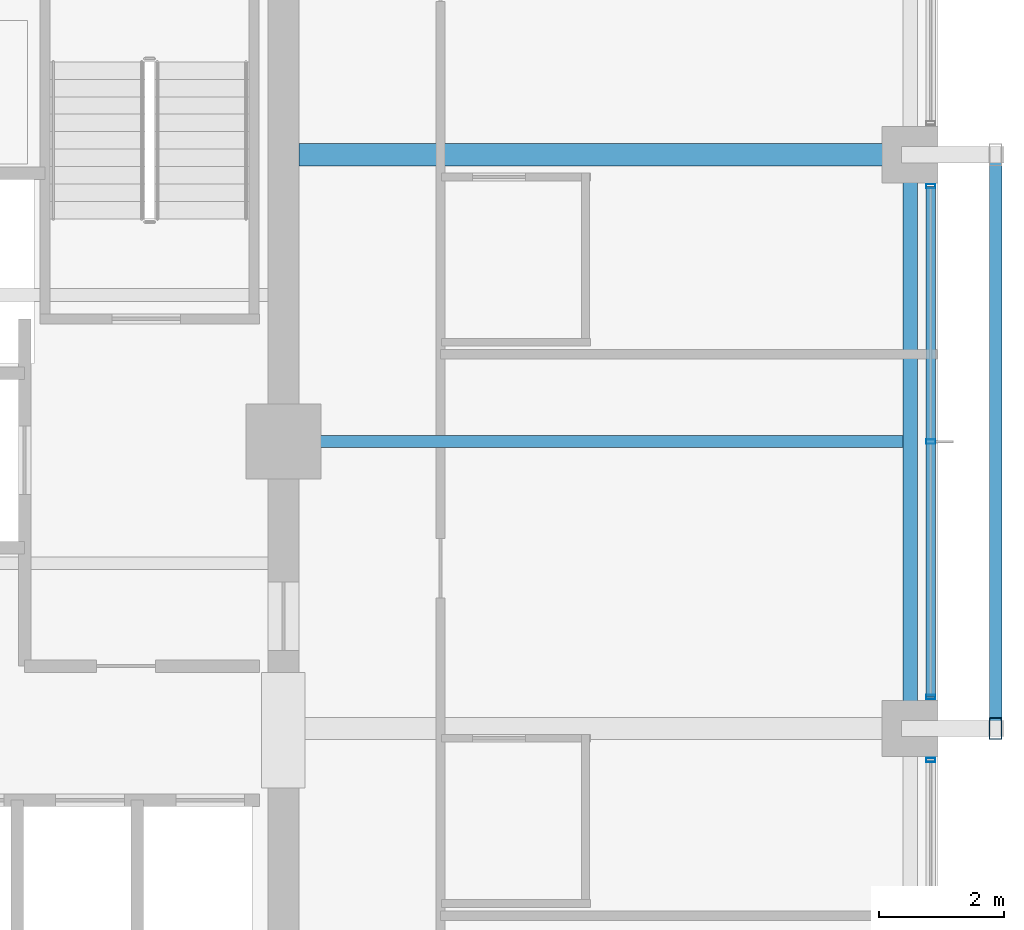
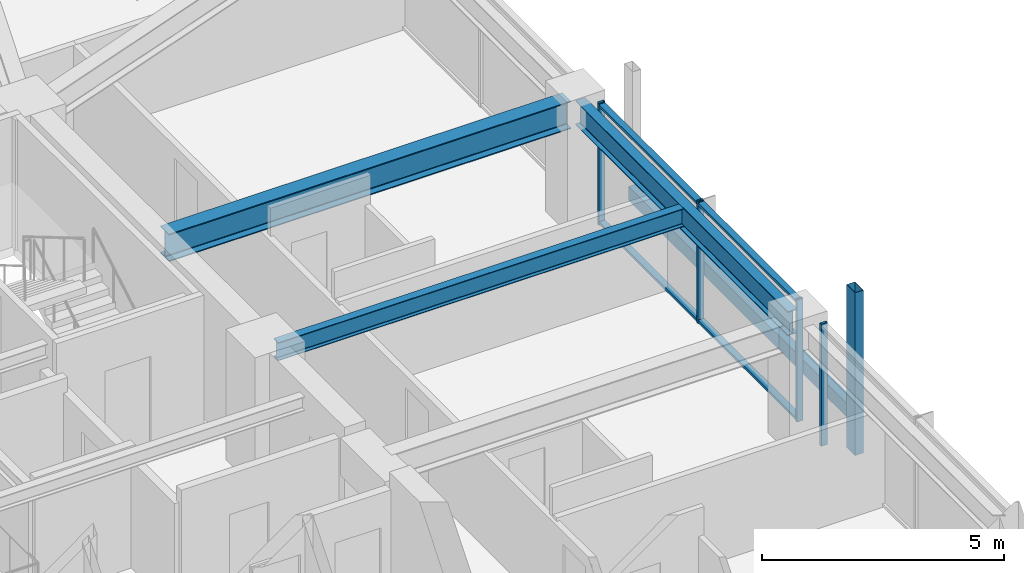
# One storey, part 14 of 37: 8 members, 3 beams, 2 elements without a shape of their own.
"""IFC4 building model written with IfcOpenShell, lengths in metres."""

from ifc_helpers import new_model, si_unit, direction, frame, origin, origin_2d, place, context, subcontext, project, spatial, hollow_rectangle, i_section, extrude, material, material_profile, profile_set, type_object, element, aggregate, save


model = new_model("IFC4")

# Units and contexts
model_context = context("Model", 3, precision=1e-05, world=origin(), true_north=direction((0.0, 1.0)))
body_context = subcontext(model_context, "Body", "Model", "MODEL_VIEW")
ifc_project = project(units=[si_unit("LENGTHUNIT", "METRE"), si_unit("AREAUNIT", "SQUARE_METRE"), si_unit("VOLUMEUNIT", "CUBIC_METRE"), si_unit("PLANEANGLEUNIT", "RADIAN"), si_unit("MASSUNIT", "GRAM", prefix="KILO")], contexts=[model_context])

# Site, building, storey
site_placement = place(None, origin())
site = spatial("IfcSite", under=ifc_project, at=site_placement, CompositionType="ELEMENT")
building_placement = place(site_placement, origin())
building = spatial("IfcBuilding", under=site, at=building_placement, Name="Kolvaren Belvedere", CompositionType="ELEMENT")
storey_placement = place(building_placement, frame((0.0, 0.0, 173.39990234375)))
storey = spatial("IfcBuildingStorey", under=building, at=storey_placement, Name="L50", CompositionType="ELEMENT", Elevation=173.39990234375)

# Beams
ifc_material_1 = material(Name="Structural steel ASTM A992 Grade 50", Category="steel")
ifc_material_profile_1 = material_profile(ifc_material_1, i_section(OverallWidth=0.35498046875, OverallDepth=0.696044921875, WebThickness=0.015380859375, FlangeThickness=0.02490234375, FilletRadius=0.02197265625, at=origin_2d()), Name="W27X146")
ifc_profile_set_1 = profile_set([ifc_material_profile_1], Name="Structural steel ASTM A992 Grade 50")
beam_type_1 = type_object("IfcBeamType", Name="BM-GIRD-W27X146", PredefinedType="BEAM", material=ifc_profile_set_1)
beam_1_placement = place(storey_placement, frame((10.14990234375, 4.60009765625, 2.732177734375), z_axis=(1.0, 0.0, 0.0), x_axis=(0.0, 1.0, 0.0)))
element("IfcBeam", 1, at=beam_1_placement, inside=storey, type_object=beam_type_1, Name="L50 East Radial Girder P", PredefinedType="BEAM", context=body_context, shape_type="SweptSolid", body=[
    extrude(i_section(OverallWidth=0.35498046875, OverallDepth=0.696044921875, WebThickness=0.015380859375, FlangeThickness=0.02490234375, FilletRadius=0.02197265625, at=origin_2d()), origin(), (0.0, 0.0, 1.0), 9.59765625),
])
ifc_material_2 = material(Name="Structural steel ASTM A992 Grade 50", Category="steel")
ifc_material_profile_2 = material_profile(ifc_material_2, i_section(OverallWidth=0.19091796875, OverallDepth=0.4599609375, WebThickness=0.010009765625, FlangeThickness=0.01611328125, FilletRadius=0.014892578125, at=origin_2d()), Name="W18X55")
ifc_profile_set_2 = profile_set([ifc_material_profile_2], Name="Structural steel ASTM A992 Grade 50")
beam_type_2 = type_object("IfcBeamType", Name="BM-JOIST-W18X55", PredefinedType="BEAM", material=ifc_profile_set_2)
beam_2_placement = place(storey_placement, frame((10.14990234375, 0.0, 2.85009765625), z_axis=(1.0, 0.0, 0.0), x_axis=(0.0, 1.0, 0.0)))
element("IfcBeam", 2, at=beam_2_placement, inside=storey, type_object=beam_type_2, Name="L50 East Centre Floor Beam", PredefinedType="BEAM", context=body_context, shape_type="SweptSolid", body=[
    extrude(i_section(OverallWidth=0.19091796875, OverallDepth=0.4599609375, WebThickness=0.010009765625, FlangeThickness=0.01611328125, FilletRadius=0.014892578125, at=origin_2d()), origin(), (0.0, 0.0, 1.0), 9.685546875),
])
ifc_material_3 = material(Name="Structural steel ASTM A992 Grade 50", Category="steel")
ifc_material_profile_3 = material_profile(ifc_material_3, i_section(OverallWidth=0.22900390625, OverallDepth=0.612060546875, WebThickness=0.011962890625, FlangeThickness=0.01953125, FilletRadius=0.01806640625, at=origin_2d()), Name="W24X84")
ifc_profile_set_3 = profile_set([ifc_material_profile_3], Name="Structural steel ASTM A992 Grade 50")
beam_type_3 = type_object("IfcBeamType", Name="BM-SPAN-W24X84", PredefinedType="SPANDREL", material=ifc_profile_set_3)
beam_3_placement = place(storey_placement, frame((19.949951171875, -4.3974609375, 2.774169921875), z_axis=(0.0, 1.0, 0.0), x_axis=(-1.0, 0.0, 0.0)))
element("IfcBeam", 3, at=beam_3_placement, inside=storey, type_object=beam_type_3, Name="L50 Perimeter Spandrel E2-E3", PredefinedType="SPANDREL", context=body_context, shape_type="SweptSolid", body=[
    extrude(i_section(OverallWidth=0.22900390625, OverallDepth=0.612060546875, WebThickness=0.011962890625, FlangeThickness=0.01953125, FilletRadius=0.01806640625, at=origin_2d()), origin(), (0.0, 0.0, 1.0), 8.794921875),
])

# Curtain wall, members
ifc_material_4 = material(Name="Anodised pale-metal aluminium AA 6063-T6", Category="aluminium")
curtain_wall_type = type_object("IfcCurtainWallType", Name="CW-Z5-HIGH", PredefinedType="NOTDEFINED", material=ifc_material_4)
curtain_wall_1_placement = place(storey_placement, origin())
curtain_wall_1 = element("IfcCurtainWall", 4, at=curtain_wall_1_placement, inside=storey, type_object=curtain_wall_type, Name="L50 Unitised Curtain Wall FCW-L50-E-B2", PredefinedType="NOTDEFINED")
ifc_material_5 = material(Name="Anodised pale-metal aluminium AA 6063-T6", Category="aluminium")
ifc_material_profile_4 = material_profile(ifc_material_5, hollow_rectangle(XDim=0.070068359375, YDim=0.14990234375, WallThickness=0.004150390625, at=origin_2d()), Name="ALU-MUL-150X70")
ifc_profile_set_4 = profile_set([ifc_material_profile_4], Name="Anodised pale-metal aluminium AA 6063-T6")
member_type_1 = type_object("IfcMemberType", Name="CW-MUL-150", PredefinedType="MULLION", material=ifc_profile_set_4)
member_1_placement = place(storey_placement, frame((20.280029296875, 4.094970703125, 0.0), z_axis=(0.0, 0.0, 1.0), x_axis=(0.0, 1.0, 0.0)))
member_1 = element("IfcMember", 5, at=member_1_placement, type_object=member_type_1, Name="FCW-L50-E-B2 Unitised Mullion 1", PredefinedType="MULLION", context=body_context, shape_type="SweptSolid", body=[
    extrude(hollow_rectangle(XDim=0.070068359375, YDim=0.14990234375, WallThickness=0.004150390625, at=origin_2d()), origin(), (0.0, 0.0, 1.0), 3.080078125),
])
member_2_placement = place(storey_placement, frame((20.280029296875, 0.0, 0.0), z_axis=(0.0, 0.0, 1.0), x_axis=(0.0, 1.0, 0.0)))
member_2 = element("IfcMember", 6, at=member_2_placement, type_object=member_type_1, Name="FCW-L50-E-B2 Unitised Mullion 2", PredefinedType="MULLION", context=body_context, shape_type="SweptSolid", body=[
    extrude(hollow_rectangle(XDim=0.070068359375, YDim=0.14990234375, WallThickness=0.004150390625, at=origin_2d()), origin(), (0.0, 0.0, 1.0), 3.080078125),
])
member_3_placement = place(storey_placement, frame((20.280029296875, -4.094970703125, 0.0), z_axis=(0.0, 0.0, 1.0), x_axis=(0.0, 1.0, 0.0)))
member_3 = element("IfcMember", 7, at=member_3_placement, type_object=member_type_1, Name="FCW-L50-E-B2 Unitised Mullion 3", PredefinedType="MULLION", context=body_context, shape_type="SweptSolid", body=[
    extrude(hollow_rectangle(XDim=0.070068359375, YDim=0.14990234375, WallThickness=0.004150390625, at=origin_2d()), origin(), (0.0, 0.0, 1.0), 3.080078125),
])

# Curtain wall, member
curtain_wall_2_placement = place(storey_placement, origin())
curtain_wall_2 = element("IfcCurtainWall", 8, at=curtain_wall_2_placement, inside=storey, type_object=curtain_wall_type, Name="L50 Unitised Curtain Wall FCW-L50-E-B3", PredefinedType="NOTDEFINED")
member_4_placement = place(storey_placement, frame((20.280029296875, -5.10498046875, 0.0), z_axis=(0.0, 0.0, 1.0), x_axis=(0.0, 1.0, 0.0)))
member_4 = element("IfcMember", 9, at=member_4_placement, type_object=member_type_1, Name="FCW-L50-E-B3 Unitised Mullion 1", PredefinedType="MULLION", context=body_context, shape_type="SweptSolid", body=[
    extrude(hollow_rectangle(XDim=0.070068359375, YDim=0.14990234375, WallThickness=0.004150390625, at=origin_2d()), origin(), (0.0, 0.0, 1.0), 3.080078125),
])
aggregate(curtain_wall_2, [member_4])

# Member
ifc_material_6 = material(Name="Anodised pale-metal aluminium AA 6063-T6", Category="aluminium")
ifc_material_profile_5 = material_profile(ifc_material_6, hollow_rectangle(XDim=0.06494140625, YDim=0.14990234375, WallThickness=0.00390625, at=origin_2d()), Name="ALU-TRN-150X65")
ifc_profile_set_5 = profile_set([ifc_material_profile_5], Name="Anodised pale-metal aluminium AA 6063-T6")
member_type_2 = type_object("IfcMemberType", Name="CW-TRN-150", PredefinedType="USERDEFINED", material=ifc_profile_set_5)
member_5_placement = place(storey_placement, frame((20.280029296875, 4.094970703125, 0.06005859375), z_axis=(0.0, -1.0, 0.0), x_axis=(0.0, 0.0, 1.0)))
member_5 = element("IfcMember", 10, at=member_5_placement, type_object=member_type_2, Name="FCW-L50-E-B2 Sill Transom", ObjectType="TRANSOM", PredefinedType="USERDEFINED", context=body_context, shape_type="SweptSolid", body=[
    extrude(hollow_rectangle(XDim=0.06494140625, YDim=0.14990234375, WallThickness=0.00390625, at=origin_2d()), origin(), (0.0, 0.0, 1.0), 8.18994140625),
])

member_6_placement = place(storey_placement, frame((20.280029296875, 4.094970703125, 3.02001953125), z_axis=(0.0, -1.0, 0.0), x_axis=(0.0, 0.0, 1.0)))
member_6 = element("IfcMember", 11, at=member_6_placement, type_object=member_type_2, Name="FCW-L50-E-B2 Head Transom", ObjectType="TRANSOM", PredefinedType="USERDEFINED", context=body_context, shape_type="SweptSolid", body=[
    extrude(hollow_rectangle(XDim=0.06494140625, YDim=0.14990234375, WallThickness=0.00390625, at=origin_2d()), origin(), (0.0, 0.0, 1.0), 8.18994140625),
])

aggregate(curtain_wall_1, [member_1, member_2, member_3, member_5, member_6])

# Members
ifc_material_7 = material(Name="Anodised pale-metal aluminium AA 6063-T6", Category="aluminium")
ifc_material_profile_6 = material_profile(ifc_material_7, hollow_rectangle(XDim=0.199951171875, YDim=0.35009765625, WallThickness=0.007568359375, at=origin_2d()), Name="ALU-PF-350X200")
ifc_profile_set_6 = profile_set([ifc_material_profile_6], Name="Anodised pale-metal aluminium AA 6063-T6")
member_type_3 = type_object("IfcMemberType", Name="PF-FRAME-350", PredefinedType="USERDEFINED", material=ifc_profile_set_6)
member_7_placement = place(storey_placement, frame((21.320068359375, -4.60009765625, -0.809814453125), z_axis=(0.0, 0.0, 1.0), x_axis=(1.0, 0.0, 0.0)))
element("IfcMember", 12, at=member_7_placement, inside=storey, type_object=member_type_3, Name="L50 Outboard Picture-Frame Vertical E2", ObjectType="PICTURE FRAME FIN", PredefinedType="USERDEFINED", context=body_context, shape_type="SweptSolid", body=[
    extrude(hollow_rectangle(XDim=0.199951171875, YDim=0.35009765625, WallThickness=0.007568359375, at=origin_2d()), origin(), (0.0, 0.0, 1.0), 4.10986328125),
])
member_8_placement = place(storey_placement, frame((21.320068359375, 4.60009765625, 0.130126953125), z_axis=(0.0, -1.0, 0.0), x_axis=(1.0, 0.0, 0.0)))
element("IfcMember", 13, at=member_8_placement, inside=storey, type_object=member_type_3, Name="L50 Outboard Picture-Frame Sill E", ObjectType="PICTURE FRAME FIN", PredefinedType="USERDEFINED", context=body_context, shape_type="SweptSolid", body=[
    extrude(hollow_rectangle(XDim=0.199951171875, YDim=0.35009765625, WallThickness=0.007568359375, at=origin_2d()), origin(), (0.0, 0.0, 1.0), 9.2001953125),
])

save(model, "model.ifc")
